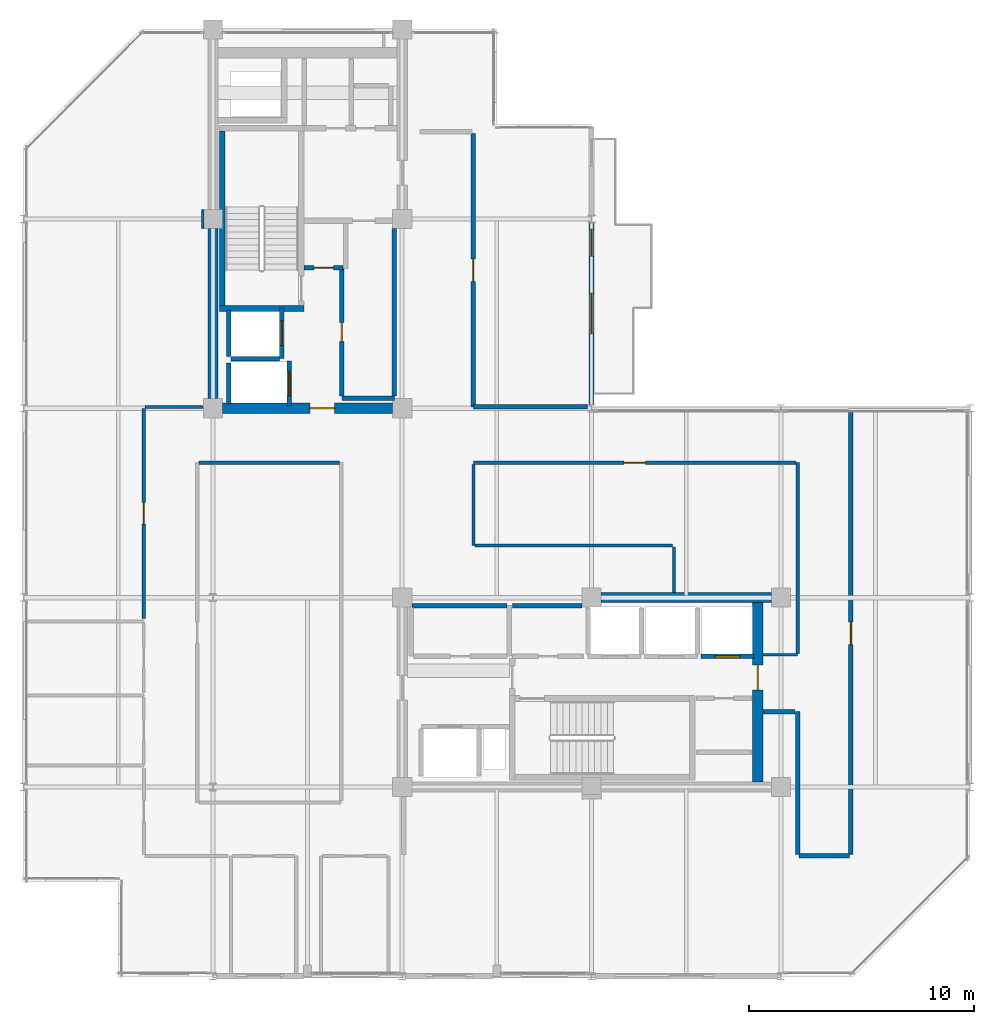
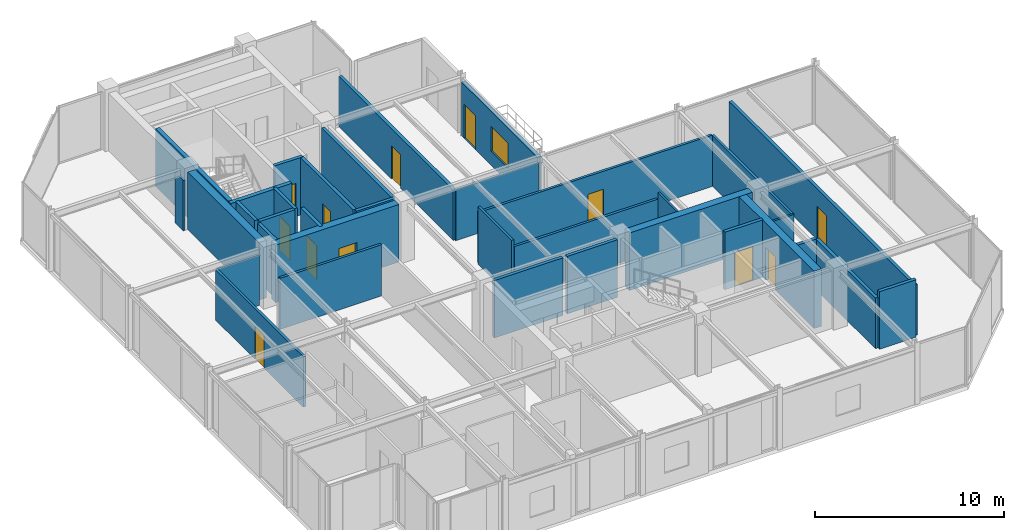
# One storey, part 22 of 26: 35 walls, 12 doors, 1 window, 13 openings.
"""IFC4 building model written with IfcOpenShell, lengths in metres."""

from ifc_helpers import new_model, si_unit, direction, frame, frame_2d, origin, place, context, subcontext, project, spatial, rectangle, extrude, material, layer, layer_set, type_object, element, fill, save


model = new_model("IFC4")

# Units and contexts
model_context = context("Model", 3, precision=1e-05, world=origin(), true_north=direction((0.0, 1.0)))
body_context = subcontext(model_context, "Body", "Model", "MODEL_VIEW")
ifc_project = project(units=[si_unit("LENGTHUNIT", "METRE"), si_unit("AREAUNIT", "SQUARE_METRE"), si_unit("VOLUMEUNIT", "CUBIC_METRE"), si_unit("PLANEANGLEUNIT", "RADIAN"), si_unit("MASSUNIT", "GRAM", prefix="KILO")], contexts=[model_context])

# Site, building, storey
site_placement = place(None, origin())
site = spatial("IfcSite", under=ifc_project, at=site_placement, CompositionType="ELEMENT")
building_placement = place(site_placement, origin())
building = spatial("IfcBuilding", under=site, at=building_placement, Name="Nerrivon Quay Data Exchange", CompositionType="ELEMENT")
storey_placement = place(building_placement, frame((0.0, 0.0, 274.199951171875)))
storey = spatial("IfcBuildingStorey", under=building, at=storey_placement, Name="L65", CompositionType="ELEMENT", Elevation=274.199951171875)

# Wall, openings, door, window
ifc_material_1 = material(Name="Architectural terracotta precast concrete N50 (50 MPa)", Category="masonry")
ifc_layer_1 = layer(ifc_material_1, 0.239990234375)
ifc_layer_set_1 = layer_set([ifc_layer_1], Name="Architectural terracotta precast concrete N50 (50 MPa)")
wall_type_1 = type_object("IfcWallType", Name="EW-PREC-240", PredefinedType="STANDARD", material=ifc_layer_set_1)
wall_1_placement = place(storey_placement, frame((25.199951171875, 33.4365234375, 0.0), z_axis=(0.0, 0.0, 1.0), x_axis=(0.0, -1.0, 0.0)))
wall_1 = element("IfcWall", 1, at=wall_1_placement, inside=storey, type_object=wall_type_1, Name="L65 Terrace Host Wall 23", PredefinedType="STANDARD", context=body_context, shape_type="SweptSolid", body=[
    extrude(rectangle(XDim=8.072998046875, YDim=0.239990234375, at=frame_2d((4.03662109375, 0.0))), origin(), (0.0, 0.0, 1.0), 3.47509765625),
])
opening_1_placement = place(wall_1_placement, frame((0.300048828125, 0.0, 0.0)))
opening_1 = element("IfcOpeningElement", 2, at=opening_1_placement, cuts=wall_1, Name="Opening TD1", PredefinedType="OPENING", context=body_context, shape_type="SweptSolid", body=[
    extrude(rectangle(XDim=1.199951171875, YDim=2.199951171875, at=frame_2d((0.60009765625, 1.10009765625))), frame((0.0, 0.1298828125, 0.0), z_axis=(0.0, -1.0, 0.0), x_axis=(1.0, 0.0, 0.0)), (0.0, 0.0, 1.0), 0.260009765625),
])
opening_2_placement = place(wall_1_placement, frame((3.136474609375, 0.0, 0.89990234375)))
opening_2 = element("IfcOpeningElement", 3, at=opening_2_placement, cuts=wall_1, Name="Opening WN2", PredefinedType="OPENING", context=body_context, shape_type="SweptSolid", body=[
    extrude(rectangle(XDim=1.800048828125, YDim=1.60009765625, at=frame_2d((0.89990234375, 0.800048828125))), frame((0.0, 0.1298828125, 0.0), z_axis=(0.0, -1.0, 0.0), x_axis=(1.0, 0.0, 0.0)), (0.0, 0.0, 1.0), 0.260009765625),
])
ifc_material_2 = material(Name="Double-glazed low-E solar control glass", Category="glass")
door_type_1 = type_object("IfcDoorType", Name="DR-TERR-1200x2200", OperationType="NOTDEFINED", PredefinedType="DOOR", material=ifc_material_2)
door_1_placement = place(opening_1_placement, origin())
door_1 = element("IfcDoor", 4, at=door_1_placement, inside=storey, type_object=door_type_1, Name="L65 Outdoor Terrace Access Door 23", OperationType="SINGLE_SWING_RIGHT", OverallHeight=2.199951171875, OverallWidth=1.199951171875, PredefinedType="DOOR", context=body_context, shape_type="SweptSolid", body=[
    extrude(rectangle(XDim=1.199951171875, YDim=2.199951171875, at=frame_2d((0.60009765625, 1.10009765625))), frame((0.0, 0.02490234375, 0.0), z_axis=(0.0, -1.0, 0.0), x_axis=(1.0, 0.0, 0.0)), (0.0, 0.0, 1.0), 0.050048828125),
])
fill(opening_1, door_1)
window_type = type_object("IfcWindowType", Name="WIN-W2-1800x1600", PartitioningType="SINGLE_PANEL", PredefinedType="WINDOW", material=ifc_material_2)
window_placement = place(opening_2_placement, origin())
window = element("IfcWindow", 5, at=window_placement, inside=storey, type_object=window_type, Name="L65 Terrace Side Window 23", OverallHeight=1.60009765625, OverallWidth=1.800048828125, PartitioningType="SINGLE_PANEL", PredefinedType="WINDOW", context=body_context, shape_type="SweptSolid", body=[
    extrude(rectangle(XDim=1.800048828125, YDim=1.60009765625, at=frame_2d((0.89990234375, 0.800048828125))), frame((0.0, 0.030029296875, 0.0), z_axis=(0.0, -1.0, 0.0), x_axis=(1.0, 0.0, 0.0)), (0.0, 0.0, 1.0), 0.06005859375),
])
fill(opening_2, window)

# Wall
ifc_material_3 = material(Name="Concrete N50 (50 MPa)", Category="concrete")
ifc_layer_2 = layer(ifc_material_3, 0.449951171875)
ifc_layer_set_2 = layer_set([ifc_layer_2], Name="Concrete N50 (50 MPa)")
wall_type_2 = type_object("IfcWallType", Name="WALL-CW-550", PredefinedType="SHEAR", material=ifc_layer_set_2)
wall_2_placement = place(storey_placement, frame((8.39990234375, 25.625, 0.0), z_axis=(0.0, 0.0, 1.0), x_axis=(0.0, 1.0, 0.0)))
element("IfcWall", 6, at=wall_2_placement, inside=storey, type_object=wall_type_2, Name="L65 West Split-Core Shear Wall WCW-W1", PredefinedType="SHEAR", context=body_context, shape_type="SweptSolid", body=[
    extrude(rectangle(XDim=7.550048828125, YDim=0.449951171875, at=frame_2d((3.77490234375, 0.0))), origin(), (0.0, 0.0, 1.0), 3.72509765625),
])

# Wall, opening, door
wall_3_placement = place(storey_placement, frame((8.824951171875, 25.199951171875, 0.0), z_axis=(0.0, 0.0, 1.0), x_axis=(1.0, 0.0, 0.0)))
wall_3 = element("IfcWall", 7, at=wall_3_placement, inside=storey, type_object=wall_type_2, Name="L65 West Split-Core Shear Wall WCW-S1", PredefinedType="SHEAR", context=body_context, shape_type="SweptSolid", body=[
    extrude(rectangle(XDim=7.550048828125, YDim=0.449951171875, at=frame_2d((3.77490234375, 0.0))), origin(), (0.0, 0.0, 1.0), 3.72509765625),
])
opening_3_placement = place(wall_3_placement, frame((3.875, 0.0, 0.0)))
opening_3 = element("IfcOpeningElement", 8, at=opening_3_placement, cuts=wall_3, Name="Opening FD-120", PredefinedType="OPENING", context=body_context, shape_type="SweptSolid", body=[
    extrude(rectangle(XDim=1.10009765625, YDim=2.14990234375, at=frame_2d((0.550048828125, 1.074951171875))), frame((0.0, 0.23486328125, 0.0), z_axis=(0.0, -1.0, 0.0), x_axis=(1.0, 0.0, 0.0)), (0.0, 0.0, 1.0), 0.469970703125),
])
ifc_material_4 = material(Name="Powder-coated galvanized steel sheet", Category="steel")
door_type_2 = type_object("IfcDoorType", Name="DR-FD120-1100", OperationType="NOTDEFINED", PredefinedType="DOOR", material=ifc_material_4)
door_2_placement = place(opening_3_placement, origin())
door_2 = element("IfcDoor", 9, at=door_2_placement, inside=storey, type_object=door_type_2, Name="L65 West Core Lobby Fire Door", OperationType="SINGLE_SWING_RIGHT", OverallHeight=2.14990234375, OverallWidth=1.10009765625, PredefinedType="DOOR", context=body_context, shape_type="SweptSolid", body=[
    extrude(rectangle(XDim=1.10009765625, YDim=2.14990234375, at=frame_2d((0.550048828125, 1.074951171875))), frame((0.0, 0.02490234375, 0.0), z_axis=(0.0, -1.0, 0.0), x_axis=(1.0, 0.0, 0.0)), (0.0, 0.0, 1.0), 0.050048828125),
])
fill(opening_3, door_2)

wall_4_placement = place(storey_placement, frame((32.574951171875, 8.625, 0.0), z_axis=(0.0, 0.0, 1.0), x_axis=(0.0, 1.0, 0.0)))
wall_4 = element("IfcWall", 10, at=wall_4_placement, inside=storey, type_object=wall_type_2, Name="L65 East Split-Core Shear Wall ECW-E1", PredefinedType="SHEAR", context=body_context, shape_type="SweptSolid", body=[
    extrude(rectangle(XDim=7.949951171875, YDim=0.449951171875, at=frame_2d((3.97509765625, 0.0))), origin(), (0.0, 0.0, 1.0), 3.72509765625),
])
opening_4_placement = place(wall_4_placement, frame((4.074951171875, 0.0, 0.0)))
opening_4 = element("IfcOpeningElement", 11, at=opening_4_placement, cuts=wall_4, Name="Opening FD-120", PredefinedType="OPENING", context=body_context, shape_type="SweptSolid", body=[
    extrude(rectangle(XDim=1.10009765625, YDim=2.14990234375, at=frame_2d((0.550048828125, 1.074951171875))), frame((0.0, 0.23486328125, 0.0), z_axis=(0.0, -1.0, 0.0), x_axis=(1.0, 0.0, 0.0)), (0.0, 0.0, 1.0), 0.469970703125),
])
door_3_placement = place(opening_4_placement, origin())
door_3 = element("IfcDoor", 12, at=door_3_placement, inside=storey, type_object=door_type_2, Name="L65 East Core Lobby Fire Door", OperationType="SINGLE_SWING_LEFT", OverallHeight=2.14990234375, OverallWidth=1.10009765625, PredefinedType="DOOR", context=body_context, shape_type="SweptSolid", body=[
    extrude(rectangle(XDim=1.10009765625, YDim=2.14990234375, at=frame_2d((0.550048828125, 1.074951171875))), frame((0.0, 0.02490234375, 0.0), z_axis=(0.0, -1.0, 0.0), x_axis=(1.0, 0.0, 0.0)), (0.0, 0.0, 1.0), 0.050048828125),
])
fill(opening_4, door_3)

# Wall
wall_5_placement = place(storey_placement, frame((25.625, 16.800048828125, 0.0), z_axis=(0.0, 0.0, 1.0), x_axis=(1.0, 0.0, 0.0)))
element("IfcWall", 13, at=wall_5_placement, inside=storey, type_object=wall_type_2, Name="L65 East Split-Core Shear Wall ECW-N1", PredefinedType="SHEAR", context=body_context, shape_type="SweptSolid", body=[
    extrude(rectangle(XDim=7.550048828125, YDim=0.449951171875, at=frame_2d((3.77490234375, 0.0))), origin(), (0.0, 0.0, 1.0), 3.72509765625),
])

# Wall, opening, door
ifc_material_5 = material(Name="Gypsum plasterboard on cold-formed framing", Category="gypsum")
ifc_layer_3 = layer(ifc_material_5, 0.199951171875)
ifc_layer_set_3 = layer_set([ifc_layer_3], Name="Gypsum plasterboard on cold-formed framing")
wall_type_3 = type_object("IfcWallType", Name="WALL-FW-200", PredefinedType="PARTITIONING", material=ifc_layer_set_3)
wall_6_placement = place(storey_placement, frame((11.449951171875, 27.39990234375, 0.0), z_axis=(0.0, 0.0, 1.0), x_axis=(0.0, 1.0, 0.0)))
wall_6 = element("IfcWall", 14, at=wall_6_placement, inside=storey, type_object=wall_type_3, Name="L65 Lift Front Wall FFL-1", PredefinedType="PARTITIONING", context=body_context, shape_type="SweptSolid", body=[
    extrude(rectangle(XDim=2.25, YDim=0.199951171875, at=frame_2d((1.125, 0.0))), origin(), (0.0, 0.0, 1.0), 3.72509765625),
])
opening_5_placement = place(wall_6_placement, frame((0.574951171875, 0.0, 0.0)))
opening_5 = element("IfcOpeningElement", 15, at=opening_5_placement, cuts=wall_6, Name="Opening LD-120", PredefinedType="OPENING", context=body_context, shape_type="SweptSolid", body=[
    extrude(rectangle(XDim=1.10009765625, YDim=2.199951171875, at=frame_2d((0.550048828125, 1.10009765625))), frame((0.0, 0.10986328125, 0.0), z_axis=(0.0, -1.0, 0.0), x_axis=(1.0, 0.0, 0.0)), (0.0, 0.0, 1.0), 0.219970703125),
])
door_type_3 = type_object("IfcDoorType", Name="DR-LIFT-LD120", OperationType="DOUBLE_DOOR_SLIDING", PredefinedType="DOOR", material=ifc_material_4)
door_4_placement = place(opening_5_placement, origin())
door_4 = element("IfcDoor", 16, at=door_4_placement, inside=storey, type_object=door_type_3, Name="L65 Lift Landing Sliding Door FFL-1", OperationType="DOUBLE_DOOR_SLIDING", OverallHeight=2.199951171875, OverallWidth=1.10009765625, PredefinedType="DOOR", context=body_context, shape_type="SweptSolid", body=[
    extrude(rectangle(XDim=1.10009765625, YDim=2.199951171875, at=frame_2d((0.550048828125, 1.10009765625))), frame((0.0, 0.02490234375, 0.0), z_axis=(0.0, -1.0, 0.0), x_axis=(1.0, 0.0, 0.0)), (0.0, 0.0, 1.0), 0.050048828125),
])
fill(opening_5, door_4)

# Walls
wall_7_placement = place(storey_placement, frame((9.10009765625, 27.5, 0.0), z_axis=(0.0, 0.0, 1.0), x_axis=(0.0, 1.0, 0.0)))
element("IfcWall", 17, at=wall_7_placement, inside=storey, type_object=wall_type_3, Name="L65 Lift Shaft Wall FFL-1 WEST", PredefinedType="PARTITIONING", context=body_context, shape_type="SweptSolid", body=[
    extrude(rectangle(XDim=2.050048828125, YDim=0.199951171875, at=frame_2d((1.02490234375, 0.0))), origin(), (0.0, 0.0, 1.0), 3.72509765625),
])
wall_8_placement = place(storey_placement, frame((9.199951171875, 27.39990234375, 0.0), z_axis=(0.0, 0.0, 1.0), x_axis=(1.0, 0.0, 0.0)))
element("IfcWall", 18, at=wall_8_placement, inside=storey, type_object=wall_type_3, Name="L65 Lift Shaft Wall FFL-1 SOUTH", PredefinedType="PARTITIONING", context=body_context, shape_type="SweptSolid", body=[
    extrude(rectangle(XDim=2.150146484375, YDim=0.199951171875, at=frame_2d((1.0751953125, 0.0))), origin(), (0.0, 0.0, 1.0), 3.72509765625),
])

# Wall, opening, door
wall_9_placement = place(storey_placement, frame((11.800048828125, 25.300048828125, 0.0), z_axis=(0.0, 0.0, 1.0), x_axis=(0.0, 1.0, 0.0)))
wall_9 = element("IfcWall", 19, at=wall_9_placement, inside=storey, type_object=wall_type_3, Name="L65 Lift Front Wall SVL-1", PredefinedType="PARTITIONING", context=body_context, shape_type="SweptSolid", body=[
    extrude(rectangle(XDim=2.0, YDim=0.199951171875, at=frame_2d((1.0, 0.0))), origin(), (0.0, 0.0, 1.0), 3.72509765625),
])
opening_6_placement = place(wall_9_placement, frame((0.449951171875, 0.0, 0.0)))
opening_6 = element("IfcOpeningElement", 20, at=opening_6_placement, cuts=wall_9, Name="Opening LD-120", PredefinedType="OPENING", context=body_context, shape_type="SweptSolid", body=[
    extrude(rectangle(XDim=1.10009765625, YDim=2.199951171875, at=frame_2d((0.550048828125, 1.10009765625))), frame((0.0, 0.10986328125, 0.0), z_axis=(0.0, -1.0, 0.0), x_axis=(1.0, 0.0, 0.0)), (0.0, 0.0, 1.0), 0.219970703125),
])
door_5_placement = place(opening_6_placement, origin())
door_5 = element("IfcDoor", 21, at=door_5_placement, inside=storey, type_object=door_type_3, Name="L65 Lift Landing Sliding Door SVL-1", OperationType="DOUBLE_DOOR_SLIDING", OverallHeight=2.199951171875, OverallWidth=1.10009765625, PredefinedType="DOOR", context=body_context, shape_type="SweptSolid", body=[
    extrude(rectangle(XDim=1.10009765625, YDim=2.199951171875, at=frame_2d((0.550048828125, 1.10009765625))), frame((0.0, 0.02490234375, 0.0), z_axis=(0.0, -1.0, 0.0), x_axis=(1.0, 0.0, 0.0)), (0.0, 0.0, 1.0), 0.050048828125),
])
fill(opening_6, door_5)

# Wall
wall_10_placement = place(storey_placement, frame((9.10009765625, 25.39990234375, 0.0), z_axis=(0.0, 0.0, 1.0), x_axis=(0.0, 1.0, 0.0)))
element("IfcWall", 22, at=wall_10_placement, inside=storey, type_object=wall_type_3, Name="L65 Lift Shaft Wall SVL-1 WEST", PredefinedType="PARTITIONING", context=body_context, shape_type="SweptSolid", body=[
    extrude(rectangle(XDim=1.800048828125, YDim=0.199951171875, at=frame_2d((0.89990234375, 0.0))), origin(), (0.0, 0.0, 1.0), 3.72509765625),
])

# Wall, opening, door
wall_11_placement = place(storey_placement, frame((30.050048828125, 14.199951171875, 0.0), z_axis=(0.0, 0.0, 1.0), x_axis=(1.0, 0.0, 0.0)))
wall_11 = element("IfcWall", 23, at=wall_11_placement, inside=storey, type_object=wall_type_3, Name="L65 Lift Front Wall PL9", PredefinedType="PARTITIONING", context=body_context, shape_type="SweptSolid", body=[
    extrude(rectangle(XDim=2.349853515625, YDim=0.199951171875, at=frame_2d((1.1748046875, 0.0))), origin(), (0.0, 0.0, 1.0), 3.72509765625),
])
opening_7_placement = place(wall_11_placement, frame((0.625, 0.0, 0.0)))
opening_7 = element("IfcOpeningElement", 24, at=opening_7_placement, cuts=wall_11, Name="Opening LD-120", PredefinedType="OPENING", context=body_context, shape_type="SweptSolid", body=[
    extrude(rectangle(XDim=1.10009765625, YDim=2.199951171875, at=frame_2d((0.550048828125, 1.10009765625))), frame((0.0, 0.10986328125, 0.0), z_axis=(0.0, -1.0, 0.0), x_axis=(1.0, 0.0, 0.0)), (0.0, 0.0, 1.0), 0.219970703125),
])
door_6_placement = place(opening_7_placement, origin())
door_6 = element("IfcDoor", 25, at=door_6_placement, inside=storey, type_object=door_type_3, Name="L65 Lift Landing Sliding Door PL9", OperationType="DOUBLE_DOOR_SLIDING", OverallHeight=2.199951171875, OverallWidth=1.10009765625, PredefinedType="DOOR", context=body_context, shape_type="SweptSolid", body=[
    extrude(rectangle(XDim=1.10009765625, YDim=2.199951171875, at=frame_2d((0.550048828125, 1.10009765625))), frame((0.0, 0.02490234375, 0.0), z_axis=(0.0, -1.0, 0.0), x_axis=(1.0, 0.0, 0.0)), (0.0, 0.0, 1.0), 0.050048828125),
])
fill(opening_7, door_6)

# Walls
wall_12_placement = place(storey_placement, frame((14.1201171875, 25.64990234375, 0.0), z_axis=(0.0, 0.0, 1.0), x_axis=(1.0, 0.0, 0.0)))
element("IfcWall", 26, at=wall_12_placement, inside=storey, type_object=wall_type_3, Name="L65 Partition Core Equipment Store", PredefinedType="PARTITIONING", context=body_context, shape_type="SweptSolid", body=[
    extrude(rectangle(XDim=2.329833984375, YDim=0.199951171875, at=frame_2d((1.1650390625, 0.0))), origin(), (0.0, 0.0, 1.0), 3.72509765625),
])
wall_13_placement = place(storey_placement, frame((16.449951171875, 25.75390625, 0.0), z_axis=(0.0, 0.0, 1.0), x_axis=(0.0, 1.0, 0.0)))
element("IfcWall", 27, at=wall_13_placement, inside=storey, type_object=wall_type_3, Name="L65 Partition Core Equipment Store", PredefinedType="PARTITIONING", context=body_context, shape_type="SweptSolid", body=[
    extrude(rectangle(XDim=7.416015625, YDim=0.199951171875, at=frame_2d((3.7080078125, 0.0))), origin(), (0.0, 0.0, 1.0), 3.72509765625),
])

# Wall, opening, door
wall_14_placement = place(storey_placement, frame((14.1201171875, 31.39990234375, 0.0), z_axis=(0.0, 0.0, 1.0), x_axis=(0.0, -1.0, 0.0)))
wall_14 = element("IfcWall", 28, at=wall_14_placement, inside=storey, type_object=wall_type_3, Name="L65 Partition Core Equipment Store", PredefinedType="PARTITIONING", context=body_context, shape_type="SweptSolid", body=[
    extrude(rectangle(XDim=5.64599609375, YDim=0.199951171875, at=frame_2d((2.822998046875, 0.0))), origin(), (0.0, 0.0, 1.0), 3.72509765625),
])
opening_8_placement = place(wall_14_placement, frame((2.39794921875, 0.0, 0.0)))
opening_8 = element("IfcOpeningElement", 29, at=opening_8_placement, cuts=wall_14, Name="Opening FD-60S", PredefinedType="OPENING", context=body_context, shape_type="SweptSolid", body=[
    extrude(rectangle(XDim=0.85009765625, YDim=2.14990234375, at=frame_2d((0.425048828125, 1.074951171875))), frame((0.0, 0.10986328125, 0.0), z_axis=(0.0, -1.0, 0.0), x_axis=(1.0, 0.0, 0.0)), (0.0, 0.0, 1.0), 0.219970703125),
])
ifc_material_6 = material(Name="Engineered hardwood timber", Category="wood")
door_type_4 = type_object("IfcDoorType", Name="DR-FD60-850", OperationType="NOTDEFINED", PredefinedType="DOOR", material=ifc_material_6)
door_7_placement = place(opening_8_placement, origin())
door_7 = element("IfcDoor", 30, at=door_7_placement, inside=storey, type_object=door_type_4, Name="L65 Door Core Equipment Store", OperationType="SINGLE_SWING_LEFT", OverallHeight=2.14990234375, OverallWidth=0.85009765625, PredefinedType="DOOR", context=body_context, shape_type="SweptSolid", body=[
    extrude(rectangle(XDim=0.85009765625, YDim=2.14990234375, at=frame_2d((0.425048828125, 1.074951171875))), frame((0.0, 0.02490234375, 0.0), z_axis=(0.0, -1.0, 0.0), x_axis=(1.0, 0.0, 0.0)), (0.0, 0.0, 1.0), 0.050048828125),
])
fill(opening_8, door_7)

wall_15_placement = place(storey_placement, frame((12.4541015625, 31.43994140625, 0.0), z_axis=(0.0, 0.0, 1.0), x_axis=(1.0, 0.0, 0.0)))
wall_15 = element("IfcWall", 31, at=wall_15_placement, inside=storey, type_object=wall_type_3, Name="L65 Partition Optical Patch Closet", PredefinedType="PARTITIONING", context=body_context, shape_type="SweptSolid", body=[
    extrude(rectangle(XDim=1.725830078125, YDim=0.199951171875, at=frame_2d((0.86279296875, 0.0))), origin(), (0.0, 0.0, 1.0), 3.72509765625),
])
opening_9_placement = place(wall_15_placement, frame((0.43798828125, 0.0, 0.0)))
opening_9 = element("IfcOpeningElement", 32, at=opening_9_placement, cuts=wall_15, Name="Opening FD-60S", PredefinedType="OPENING", context=body_context, shape_type="SweptSolid", body=[
    extrude(rectangle(XDim=0.85009765625, YDim=2.14990234375, at=frame_2d((0.425048828125, 1.074951171875))), frame((0.0, 0.10986328125, 0.0), z_axis=(0.0, -1.0, 0.0), x_axis=(1.0, 0.0, 0.0)), (0.0, 0.0, 1.0), 0.219970703125),
])
door_8_placement = place(opening_9_placement, origin())
door_8 = element("IfcDoor", 33, at=door_8_placement, inside=storey, type_object=door_type_4, Name="L65 Door Optical Patch Closet", OperationType="SINGLE_SWING_RIGHT", OverallHeight=2.14990234375, OverallWidth=0.85009765625, PredefinedType="DOOR", context=body_context, shape_type="SweptSolid", body=[
    extrude(rectangle(XDim=0.85009765625, YDim=2.14990234375, at=frame_2d((0.425048828125, 1.074951171875))), frame((0.0, 0.02490234375, 0.0), z_axis=(0.0, -1.0, 0.0), x_axis=(1.0, 0.0, 0.0)), (0.0, 0.0, 1.0), 0.050048828125),
])
fill(opening_9, door_8)

# Walls
wall_16_placement = place(storey_placement, frame((21.446044921875, 16.449951171875, 0.0), z_axis=(0.0, 0.0, 1.0), x_axis=(-1.0, 0.0, 0.0)))
element("IfcWall", 34, at=wall_16_placement, inside=storey, type_object=wall_type_3, Name="L65 Partition High-Zone Calibration Store", PredefinedType="PARTITIONING", context=body_context, shape_type="SweptSolid", body=[
    extrude(rectangle(XDim=4.216064453125, YDim=0.199951171875, at=frame_2d((2.10791015625, 0.0))), origin(), (0.0, 0.0, 1.0), 3.72509765625),
])
wall_17_placement = place(storey_placement, frame((24.77001953125, 16.449951171875, 0.0), z_axis=(0.0, 0.0, 1.0), x_axis=(-1.0, 0.0, 0.0)))
element("IfcWall", 35, at=wall_17_placement, inside=storey, type_object=wall_type_3, Name="L65 Partition High-Zone Network Closet", PredefinedType="PARTITIONING", context=body_context, shape_type="SweptSolid", body=[
    extrude(rectangle(XDim=3.070068359375, YDim=0.199951171875, at=frame_2d((1.53515625, 0.0))), origin(), (0.0, 0.0, 1.0), 3.72509765625),
])

# Wall, opening, door
wall_18_placement = place(storey_placement, frame((36.7099609375, 25.031005859375, 0.0), z_axis=(0.0, 0.0, 1.0), x_axis=(-1.2432708e-05, -0.999999999923, 0.0)))
wall_18 = element("IfcWall", 36, at=wall_18_placement, inside=storey, type_object=wall_type_3, Name="L65 Partition Colocation Data Workspace 1", PredefinedType="PARTITIONING", context=body_context, shape_type="SweptSolid", body=[
    extrude(rectangle(XDim=19.636962890625, YDim=0.199951171875, at=frame_2d((9.818359375, 0.0))), origin(), (0.0, 0.0, 1.0), 3.27099609375),
])
opening_10_placement = place(wall_18_placement, frame((9.318603515625, 0.0, 0.0)))
opening_10 = element("IfcOpeningElement", 37, at=opening_10_placement, cuts=wall_18, Name="Opening FD-60", PredefinedType="OPENING", context=body_context, shape_type="SweptSolid", body=[
    extrude(rectangle(XDim=1.0, YDim=2.14990234375, at=frame_2d((0.5, 1.074951171875))), frame((0.0, 0.10986328125, 0.0), z_axis=(0.0, -1.0, 0.0), x_axis=(1.0, 0.0, 0.0)), (0.0, 0.0, 1.0), 0.219970703125),
])
door_type_5 = type_object("IfcDoorType", Name="DR-FD60-1000", OperationType="NOTDEFINED", PredefinedType="DOOR", material=ifc_material_6)
door_9_placement = place(opening_10_placement, origin())
door_9 = element("IfcDoor", 38, at=door_9_placement, inside=storey, type_object=door_type_5, Name="L65 Door Colocation Data Workspace 1", OperationType="SINGLE_SWING_RIGHT", OverallHeight=2.14990234375, OverallWidth=1.0, PredefinedType="DOOR", context=body_context, shape_type="SweptSolid", body=[
    extrude(rectangle(XDim=1.0, YDim=2.14990234375, at=frame_2d((0.5, 1.074951171875))), frame((0.0, 0.02490234375, 0.0), z_axis=(0.0, -1.0, 0.0), x_axis=(1.0, 0.0, 0.0)), (0.0, 0.0, 1.0), 0.050048828125),
])
fill(opening_10, door_9)

# Walls
wall_19_placement = place(storey_placement, frame((36.64990234375, 5.340087890625, 0.0), z_axis=(0.0, 0.0, 1.0), x_axis=(-1.0, 0.0, 0.0)))
element("IfcWall", 39, at=wall_19_placement, inside=storey, type_object=wall_type_3, Name="L65 Partition Colocation Data Workspace 1", PredefinedType="PARTITIONING", context=body_context, shape_type="SweptSolid", body=[
    extrude(rectangle(XDim=2.25, YDim=0.199951171875, at=frame_2d((1.125, 0.0))), origin(), (0.0, 0.0, 1.0), 3.72509765625),
])
wall_20_placement = place(storey_placement, frame((34.340087890625, 5.39990234375, 0.0), z_axis=(0.0, 0.0, 1.0), x_axis=(0.0, 1.0, 0.0)))
element("IfcWall", 40, at=wall_20_placement, inside=storey, type_object=wall_type_3, Name="L65 Partition Colocation Data Workspace 1", PredefinedType="PARTITIONING", context=body_context, shape_type="SweptSolid", body=[
    extrude(rectangle(XDim=6.340087890625, YDim=0.199951171875, at=frame_2d((3.169921875, 0.0))), origin(), (0.0, 0.0, 1.0), 3.27099609375),
])
wall_21_placement = place(storey_placement, frame((34.236083984375, 11.739990234375, 0.0), z_axis=(0.0, 0.0, 1.0), x_axis=(-1.0, 0.0, 0.0)))
element("IfcWall", 41, at=wall_21_placement, inside=storey, type_object=wall_type_3, Name="L65 Partition Colocation Data Workspace 1", PredefinedType="PARTITIONING", context=body_context, shape_type="SweptSolid", body=[
    extrude(rectangle(XDim=1.43212890625, YDim=0.199951171875, at=frame_2d((0.716064453125, 0.0))), origin(), (0.0, 0.0, 1.0), 3.319091796875),
])

# Wall, opening, door
wall_22_placement = place(storey_placement, frame((19.9599609375, 37.39990234375, 0.0), z_axis=(0.0, 0.0, 1.0), x_axis=(0.0, -1.0, 0.0)))
wall_22 = element("IfcWall", 42, at=wall_22_placement, inside=storey, type_object=wall_type_3, Name="L65 Partition Colocation Data Workspace 1", PredefinedType="PARTITIONING", context=body_context, shape_type="SweptSolid", body=[
    extrude(rectangle(XDim=12.139892578125, YDim=0.199951171875, at=frame_2d((6.06982421875, 0.0))), origin(), (0.0, 0.0, 1.0), 3.27099609375),
])
opening_11_placement = place(wall_22_placement, frame((5.570068359375, 0.0, 0.0)))
opening_11 = element("IfcOpeningElement", 43, at=opening_11_placement, cuts=wall_22, Name="Opening FD-60", PredefinedType="OPENING", context=body_context, shape_type="SweptSolid", body=[
    extrude(rectangle(XDim=1.0, YDim=2.14990234375, at=frame_2d((0.5, 1.074951171875))), frame((0.0, 0.10986328125, 0.0), z_axis=(0.0, -1.0, 0.0), x_axis=(1.0, 0.0, 0.0)), (0.0, 0.0, 1.0), 0.219970703125),
])
door_10_placement = place(opening_11_placement, origin())
door_10 = element("IfcDoor", 44, at=door_10_placement, inside=storey, type_object=door_type_5, Name="L65 Door Colocation Data Workspace 1", OperationType="SINGLE_SWING_LEFT", OverallHeight=2.14990234375, OverallWidth=1.0, PredefinedType="DOOR", context=body_context, shape_type="SweptSolid", body=[
    extrude(rectangle(XDim=1.0, YDim=2.14990234375, at=frame_2d((0.5, 1.074951171875))), frame((0.0, 0.02490234375, 0.0), z_axis=(0.0, -1.0, 0.0), x_axis=(1.0, 0.0, 0.0)), (0.0, 0.0, 1.0), 0.050048828125),
])
fill(opening_11, door_10)

# Walls
wall_23_placement = place(storey_placement, frame((19.9599609375, 25.260009765625, 0.0), z_axis=(0.0, 0.0, 1.0), x_axis=(0.999999995352, -9.641342e-05, 0.0)))
element("IfcWall", 45, at=wall_23_placement, inside=storey, type_object=wall_type_3, Name="L65 Partition Colocation Data Workspace 1", PredefinedType="PARTITIONING", context=body_context, shape_type="SweptSolid", body=[
    extrude(rectangle(XDim=5.064453125, YDim=0.199951171875, at=frame_2d((2.5322265625, 0.0))), origin(), (0.0, 0.0, 1.0), 3.27099609375),
])
ifc_layer_4 = layer(ifc_material_5, 0.1201171875)
ifc_layer_set_4 = layer_set([ifc_layer_4], Name="Gypsum plasterboard on cold-formed framing")
wall_type_4 = type_object("IfcWallType", Name="WALL-PT-120", PredefinedType="PARTITIONING", material=ifc_layer_set_4)
wall_24_placement = place(storey_placement, frame((28.860107421875, 19.050048828125, 0.0), z_axis=(0.0, 0.0, 1.0), x_axis=(0.0, -1.0, 0.0)))
element("IfcWall", 46, at=wall_24_placement, inside=storey, type_object=wall_type_4, Name="L65 Partition Quiet Reading Room", PredefinedType="PARTITIONING", context=body_context, shape_type="SweptSolid", body=[
    extrude(rectangle(XDim=2.02099609375, YDim=0.1201171875, at=frame_2d((1.010498046875, 0.0))), origin(), (0.0, 0.0, 1.0), 3.72509765625),
])
wall_25_placement = place(storey_placement, frame((32.803955078125, 14.260009765625, 0.0), z_axis=(0.0, 0.0, 1.0), x_axis=(1.0, 0.0, 0.0)))
element("IfcWall", 47, at=wall_25_placement, inside=storey, type_object=wall_type_4, Name="L65 Partition Quiet Reading Room", PredefinedType="PARTITIONING", context=body_context, shape_type="SweptSolid", body=[
    extrude(rectangle(XDim=1.5361328125, YDim=0.1201171875, at=frame_2d((0.76806640625, 0.0))), origin(), (0.0, 0.0, 1.0), 3.319091796875),
])
wall_26_placement = place(storey_placement, frame((7.955810546875, 33.169189453125, 0.0), z_axis=(0.0, 0.0, 1.0), x_axis=(-0.000855919801, 0.999999633701, 0.0)))
element("IfcWall", 48, at=wall_26_placement, inside=storey, type_object=wall_type_4, Name="L65 Partition Technical Library", PredefinedType="PARTITIONING", context=body_context, shape_type="SweptSolid", body=[
    extrude(rectangle(XDim=0.855712890625, YDim=0.1201171875, at=frame_2d((0.427734375, 0.0))), origin(), (0.0, 0.0, 1.0), 3.27099609375),
])
wall_27_placement = place(storey_placement, frame((5.39990234375, 25.260009765625, 0.0), z_axis=(0.0, 0.0, 1.0), x_axis=(1.0, 0.0, 0.0)))
element("IfcWall", 49, at=wall_27_placement, inside=storey, type_object=wall_type_4, Name="L65 Partition Technical Library", PredefinedType="PARTITIONING", context=body_context, shape_type="SweptSolid", body=[
    extrude(rectangle(XDim=2.55517578125, YDim=0.1201171875, at=frame_2d((1.277587890625, 0.0))), origin(), (0.0, 0.0, 1.0), 3.27099609375),
])
ifc_layer_5 = layer(ifc_material_5, 0.135009765625)
ifc_layer_set_5 = layer_set([ifc_layer_5], Name="Gypsum plasterboard on cold-formed framing")
wall_type_5 = type_object("IfcWallType", Name="WALL-PT-135", PredefinedType="PARTITIONING", material=ifc_layer_set_5)
wall_28_placement = place(storey_placement, frame((19.9599609375, 22.7109375, 0.0), z_axis=(0.0, 0.0, 1.0), x_axis=(0.0, -1.0, 0.0)))
element("IfcWall", 50, at=wall_28_placement, inside=storey, type_object=wall_type_5, Name="L65 Partition Quiet Reading Room", PredefinedType="PARTITIONING", context=body_context, shape_type="SweptSolid", body=[
    extrude(rectangle(XDim=3.600830078125, YDim=0.135009765625, at=frame_2d((1.80029296875, 0.0))), origin(), (0.0, 0.0, 1.0), 3.72509765625),
])
ifc_layer_6 = layer(ifc_material_5, 0.14990234375)
ifc_layer_set_6 = layer_set([ifc_layer_6], Name="Gypsum plasterboard on cold-formed framing")
wall_type_6 = type_object("IfcWallType", Name="WALL-PT-150", PredefinedType="PARTITIONING", material=ifc_layer_set_6)
wall_29_placement = place(storey_placement, frame((34.340087890625, 14.323974609375, 0.0), z_axis=(0.0, 0.0, 1.0), x_axis=(0.0, 1.0, 0.0)))
element("IfcWall", 51, at=wall_29_placement, inside=storey, type_object=wall_type_6, Name="L65 Partition Quiet Reading Room", PredefinedType="PARTITIONING", context=body_context, shape_type="SweptSolid", body=[
    extrude(rectangle(XDim=8.466064453125, YDim=0.14990234375, at=frame_2d((4.23291015625, 0.0))), origin(), (0.0, 0.0, 1.0), 3.27099609375),
])

# Wall, opening, door
wall_30_placement = place(storey_placement, frame((34.260986328125, 22.7900390625, 0.0), z_axis=(0.0, 0.0, 1.0), x_axis=(-1.0, 0.0, 0.0)))
wall_30 = element("IfcWall", 52, at=wall_30_placement, inside=storey, type_object=wall_type_6, Name="L65 Partition Quiet Reading Room", PredefinedType="PARTITIONING", context=body_context, shape_type="SweptSolid", body=[
    extrude(rectangle(XDim=14.301025390625, YDim=0.14990234375, at=frame_2d((7.150390625, 0.0))), origin(), (0.0, 0.0, 1.0), 3.319091796875),
])
opening_12_placement = place(wall_30_placement, frame((6.675537109375, 0.0, 0.0)))
opening_12 = element("IfcOpeningElement", 53, at=opening_12_placement, cuts=wall_30, Name="Opening D-01", PredefinedType="OPENING", context=body_context, shape_type="SweptSolid", body=[
    extrude(rectangle(XDim=0.949951171875, YDim=2.14990234375, at=frame_2d((0.47509765625, 1.074951171875))), frame((0.0, 0.0849609375, 0.0), z_axis=(0.0, -1.0, 0.0), x_axis=(1.0, 0.0, 0.0)), (0.0, 0.0, 1.0), 0.169921875),
])
door_type_6 = type_object("IfcDoorType", Name="DR-INT-950", OperationType="NOTDEFINED", PredefinedType="DOOR", material=ifc_material_6)
door_11_placement = place(opening_12_placement, origin())
door_11 = element("IfcDoor", 54, at=door_11_placement, inside=storey, type_object=door_type_6, Name="L65 Door Quiet Reading Room", OperationType="SINGLE_SWING_LEFT", OverallHeight=2.14990234375, OverallWidth=0.949951171875, PredefinedType="DOOR", context=body_context, shape_type="SweptSolid", body=[
    extrude(rectangle(XDim=0.949951171875, YDim=2.14990234375, at=frame_2d((0.47509765625, 1.074951171875))), frame((0.0, 0.02490234375, 0.0), z_axis=(0.0, -1.0, 0.0), x_axis=(1.0, 0.0, 0.0)), (0.0, 0.0, 1.0), 0.050048828125),
])
fill(opening_12, door_11)

# Walls
wall_31_placement = place(storey_placement, frame((20.031494140625, 19.110107421875, 0.0), z_axis=(0.0, 0.0, 1.0), x_axis=(1.0, 0.0, 0.0)))
element("IfcWall", 55, at=wall_31_placement, inside=storey, type_object=wall_type_6, Name="L65 Partition Quiet Reading Room", PredefinedType="PARTITIONING", context=body_context, shape_type="SweptSolid", body=[
    extrude(rectangle(XDim=8.7685546875, YDim=0.14990234375, at=frame_2d((4.38427734375, 0.0))), origin(), (0.0, 0.0, 1.0), 3.319091796875),
])
wall_32_placement = place(storey_placement, frame((14.010986328125, 22.7900390625, 0.0), z_axis=(0.0, 0.0, 1.0), x_axis=(-1.0, 0.0, 0.0)))
element("IfcWall", 56, at=wall_32_placement, inside=storey, type_object=wall_type_6, Name="L65 Partition Staff Bistro", PredefinedType="PARTITIONING", context=body_context, shape_type="SweptSolid", body=[
    extrude(rectangle(XDim=6.221923828125, YDim=0.14990234375, at=frame_2d((3.11083984375, 0.0))), origin(), (0.0, 0.0, 1.0), 3.319091796875),
])

# Wall, opening, door
wall_33_placement = place(storey_placement, frame((5.340087890625, 15.8701171875, 0.0), z_axis=(0.0, 0.0, 1.0), x_axis=(0.0, 1.0, 0.0)))
wall_33 = element("IfcWall", 57, at=wall_33_placement, inside=storey, type_object=wall_type_6, Name="L65 Partition Technical Library", PredefinedType="PARTITIONING", context=body_context, shape_type="SweptSolid", body=[
    extrude(rectangle(XDim=9.329833984375, YDim=0.14990234375, at=frame_2d((4.6650390625, 0.0))), origin(), (0.0, 0.0, 1.0), 3.27099609375),
])
opening_13_placement = place(wall_33_placement, frame((4.18994140625, 0.0, 0.0)))
opening_13 = element("IfcOpeningElement", 58, at=opening_13_placement, cuts=wall_33, Name="Opening D-01", PredefinedType="OPENING", context=body_context, shape_type="SweptSolid", body=[
    extrude(rectangle(XDim=0.949951171875, YDim=2.14990234375, at=frame_2d((0.47509765625, 1.074951171875))), frame((0.0, 0.0849609375, 0.0), z_axis=(0.0, -1.0, 0.0), x_axis=(1.0, 0.0, 0.0)), (0.0, 0.0, 1.0), 0.169921875),
])
door_12_placement = place(opening_13_placement, origin())
door_12 = element("IfcDoor", 59, at=door_12_placement, inside=storey, type_object=door_type_6, Name="L65 Door Technical Library", OperationType="SINGLE_SWING_LEFT", OverallHeight=2.14990234375, OverallWidth=0.949951171875, PredefinedType="DOOR", context=body_context, shape_type="SweptSolid", body=[
    extrude(rectangle(XDim=0.949951171875, YDim=2.14990234375, at=frame_2d((0.47509765625, 1.074951171875))), frame((0.0, 0.02490234375, 0.0), z_axis=(0.0, -1.0, 0.0), x_axis=(1.0, 0.0, 0.0)), (0.0, 0.0, 1.0), 0.050048828125),
])
fill(opening_13, door_12)

# Walls
ifc_layer_7 = layer(ifc_material_3, 0.25)
ifc_layer_set_7 = layer_set([ifc_layer_7], Name="Concrete N50 (50 MPa)")
wall_type_7 = type_object("IfcWallType", Name="WALL-SW-250", PredefinedType="SHEAR", material=ifc_layer_set_7)
wall_34_placement = place(storey_placement, frame((12.449951171875, 29.625, 0.0), z_axis=(0.0, 0.0, 1.0), x_axis=(-1.0, 0.0, 0.0)))
element("IfcWall", 60, at=wall_34_placement, inside=storey, type_object=wall_type_7, Name="L65 ST01 Structural Stair Core Wall NEAR", PredefinedType="SHEAR", context=body_context, shape_type="SweptSolid", body=[
    extrude(rectangle(XDim=3.75, YDim=0.25, at=frame_2d((1.875, 0.0))), origin(), (0.0, 0.0, 1.0), 3.72509765625),
])
wall_35_placement = place(storey_placement, frame((8.824951171875, 29.75, 0.0), z_axis=(0.0, 0.0, 1.0), x_axis=(0.0, 1.0, 0.0)))
element("IfcWall", 61, at=wall_35_placement, inside=storey, type_object=wall_type_7, Name="L65 ST01 Structural Stair Core Wall RIGHT", PredefinedType="SHEAR", context=body_context, shape_type="SweptSolid", body=[
    extrude(rectangle(XDim=7.75, YDim=0.25, at=frame_2d((3.875, 0.0))), origin(), (0.0, 0.0, 1.0), 3.72509765625),
])

save(model, "model.ifc")
